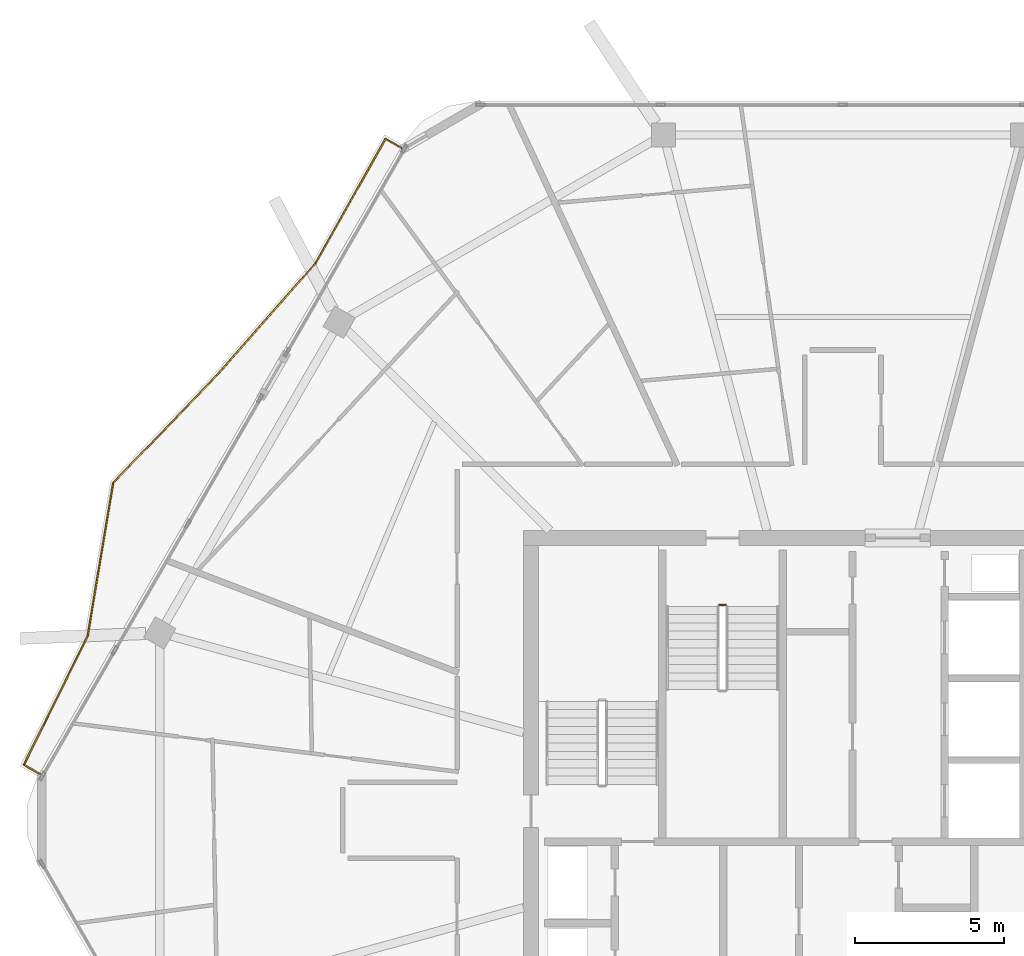
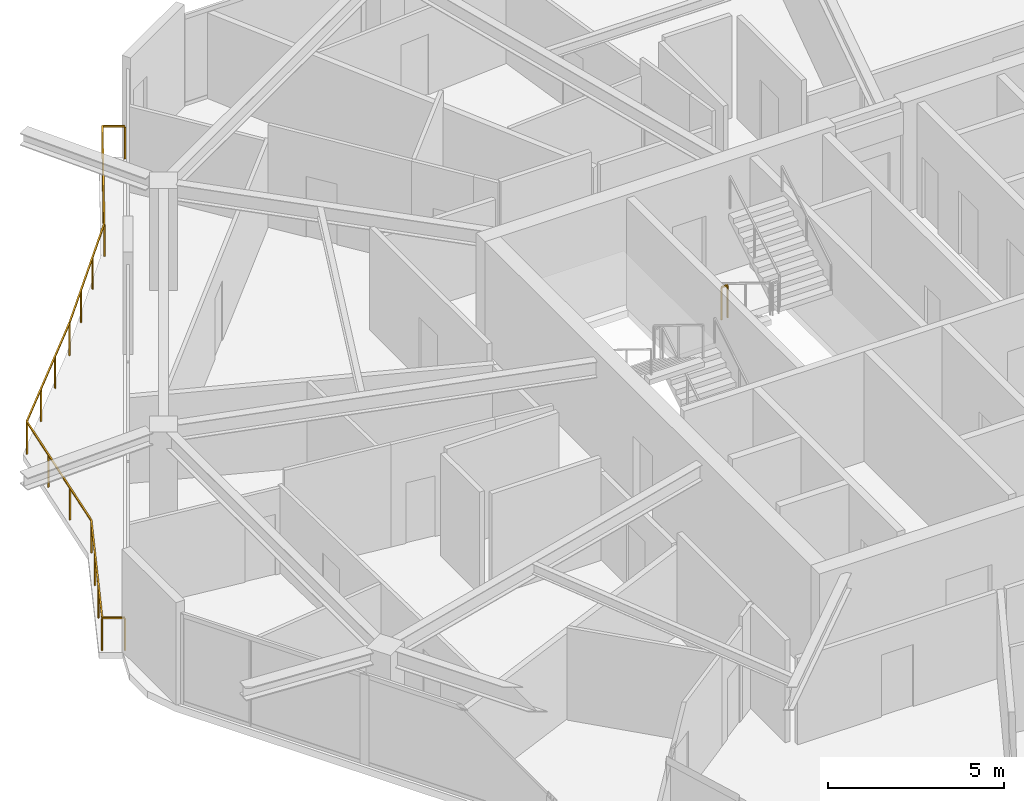
# One storey, part 19 of 19: 2 railings.
"""IFC4 building model written with IfcOpenShell, lengths in metres."""

from ifc_helpers import new_model, si_unit, direction, frame, origin, origin_2d, place, context, subcontext, project, spatial, rectangle, extrude, material, type_object, element, save


model = new_model("IFC4")

# Units and contexts
model_context = context("Model", 3, precision=1e-05, world=origin(), true_north=direction((0.0, 1.0)))
body_context = subcontext(model_context, "Body", "Model", "MODEL_VIEW")
ifc_project = project(units=[si_unit("LENGTHUNIT", "METRE"), si_unit("AREAUNIT", "SQUARE_METRE"), si_unit("VOLUMEUNIT", "CUBIC_METRE"), si_unit("PLANEANGLEUNIT", "RADIAN"), si_unit("MASSUNIT", "GRAM", prefix="KILO")], contexts=[model_context])

# Site, building, storey
site_placement = place(None, origin())
site = spatial("IfcSite", under=ifc_project, at=site_placement, CompositionType="ELEMENT")
building_placement = place(site_placement, origin())
building = spatial("IfcBuilding", under=site, at=building_placement, Name="Zuhravey Tower", CompositionType="ELEMENT")
storey_placement = place(building_placement, frame((0.0, 0.0, 327.199951171875)))
storey = spatial("IfcBuildingStorey", under=building, at=storey_placement, Name="L83", CompositionType="ELEMENT", Elevation=327.199951171875)

# Railings
ifc_material_1 = material(Name="Stainless steel 316 and laminated glass", Category="steel")
railing_type_1 = type_object("IfcRailingType", Name="Balcony & Terrace Guardrail 1150", PredefinedType="BALUSTRADE", material=ifc_material_1)
railing_1_placement = place(storey_placement, frame((8.993408203125, 33.54150390625, 0.0)))
element("IfcRailing", 1, at=railing_1_placement, inside=storey, type_object=railing_type_1, Name="L83 Face 3 Wave Balcony Guardrail GR1", PredefinedType="BALUSTRADE", context=body_context, shape_type="SweptSolid", body=[
    extrude(rectangle(XDim=0.048095703125, YDim=0.048095703125, at=origin_2d()), frame((-0.001708984375, 0.0009765625, 1.1259765625), z_axis=(-0.865908710228, 0.500202064721, 0.0), x_axis=(-0.500202064721, -0.865908710228, 0.0)), (0.0, 0.0, 1.0), 0.642333984375),
    extrude(rectangle(XDim=0.048095703125, YDim=0.048095703125, at=origin_2d()), frame((-0.55859375, 0.324951171875, 1.1259765625), z_axis=(0.443394728576, 0.896326455412, 0.0), x_axis=(-0.896326455412, 0.443394728576, 0.0)), (0.0, 0.0, 1.0), 4.834228515625),
    extrude(rectangle(XDim=0.048095703125, YDim=0.048095703125, at=origin_2d()), frame((1.5859375, 4.661865234375, 1.1259765625), z_axis=(0.164603610937, 0.986359798079, 0.0), x_axis=(-0.986359798079, 0.164603610937, 0.0)), (0.0, 0.0, 1.0), 5.2197265625),
    extrude(rectangle(XDim=0.048095703125, YDim=0.048095703125, at=origin_2d()), frame((2.447021484375, 9.81396484375, 1.1259765625), z_axis=(0.69402232976, 0.719953474743, 0.0), x_axis=(-0.719953474743, 0.69402232976, 0.0)), (0.0, 0.0, 1.0), 5.023681640625),
    extrude(rectangle(XDim=0.048095703125, YDim=0.048095703125, at=origin_2d()), frame((5.93603515625, 13.43359375, 1.1259765625), z_axis=(0.660956843047, 0.750423914618, 0.0), x_axis=(-0.750423914618, 0.660956843047, 0.0)), (0.0, 0.0, 1.0), 5.014404296875),
    extrude(rectangle(XDim=0.048095703125, YDim=0.048095703125, at=origin_2d()), frame((9.252685546875, 17.19970703125, 1.1259765625), z_axis=(0.490605300097, 0.871381913696, 0.0), x_axis=(-0.871381913696, 0.490605300097, 0.0)), (0.0, 0.0, 1.0), 4.81298828125),
    extrude(rectangle(XDim=0.048095703125, YDim=0.048095703125, at=origin_2d()), frame((11.61669921875, 21.39453125, 1.1259765625), z_axis=(0.865905532852, -0.500207565094, 0.0), x_axis=(0.500207565094, 0.865905532852, 0.0)), (0.0, 0.0, 1.0), 0.635009765625),
    extrude(rectangle(XDim=0.0419921875, YDim=0.0419921875, at=origin_2d()), origin(), (0.0, 0.0, 1.0), 1.099853515625),
    extrude(rectangle(XDim=0.0419921875, YDim=0.0419921875, at=origin_2d()), frame((-0.5595703125, 0.3232421875, 0.0)), (0.0, 0.0, 1.0), 1.099853515625),
    extrude(rectangle(XDim=0.0419921875, YDim=0.0419921875, at=origin_2d()), frame((0.155517578125, 1.768798828125, 0.0)), (0.0, 0.0, 1.0), 1.099853515625),
    extrude(rectangle(XDim=0.0419921875, YDim=0.0419921875, at=origin_2d()), frame((0.87060546875, 3.21435546875, 0.0)), (0.0, 0.0, 1.0), 1.099853515625),
    extrude(rectangle(XDim=0.0419921875, YDim=0.0419921875, at=origin_2d()), frame((1.585693359375, 4.659912109375, 0.0)), (0.0, 0.0, 1.0), 1.099853515625),
    extrude(rectangle(XDim=0.0419921875, YDim=0.0419921875, at=origin_2d()), frame((1.872314453125, 6.37744140625, 0.0)), (0.0, 0.0, 1.0), 1.099853515625),
    extrude(rectangle(XDim=0.0419921875, YDim=0.0419921875, at=origin_2d()), frame((2.158935546875, 8.094970703125, 0.0)), (0.0, 0.0, 1.0), 1.099853515625),
    extrude(rectangle(XDim=0.0419921875, YDim=0.0419921875, at=origin_2d()), frame((2.445556640625, 9.8125, 0.0)), (0.0, 0.0, 1.0), 1.099853515625),
    extrude(rectangle(XDim=0.0419921875, YDim=0.0419921875, at=origin_2d()), frame((3.608642578125, 11.01904296875, 0.0)), (0.0, 0.0, 1.0), 1.099853515625),
    extrude(rectangle(XDim=0.0419921875, YDim=0.0419921875, at=origin_2d()), frame((4.771728515625, 12.2255859375, 0.0)), (0.0, 0.0, 1.0), 1.099853515625),
    extrude(rectangle(XDim=0.0419921875, YDim=0.0419921875, at=origin_2d()), frame((5.934814453125, 13.43212890625, 0.0)), (0.0, 0.0, 1.0), 1.099853515625),
    extrude(rectangle(XDim=0.0419921875, YDim=0.0419921875, at=origin_2d()), frame((7.04052734375, 14.6875, 0.0)), (0.0, 0.0, 1.0), 1.099853515625),
    extrude(rectangle(XDim=0.0419921875, YDim=0.0419921875, at=origin_2d()), frame((8.14599609375, 15.942626953125, 0.0)), (0.0, 0.0, 1.0), 1.099853515625),
    extrude(rectangle(XDim=0.0419921875, YDim=0.0419921875, at=origin_2d()), frame((9.251708984375, 17.197998046875, 0.0)), (0.0, 0.0, 1.0), 1.099853515625),
    extrude(rectangle(XDim=0.0419921875, YDim=0.0419921875, at=origin_2d()), frame((10.03955078125, 18.59716796875, 0.0)), (0.0, 0.0, 1.0), 1.099853515625),
    extrude(rectangle(XDim=0.0419921875, YDim=0.0419921875, at=origin_2d()), frame((10.8271484375, 19.996337890625, 0.0)), (0.0, 0.0, 1.0), 1.099853515625),
    extrude(rectangle(XDim=0.0419921875, YDim=0.0419921875, at=origin_2d()), frame((11.614990234375, 21.3955078125, 0.0)), (0.0, 0.0, 1.0), 1.099853515625),
    extrude(rectangle(XDim=0.0419921875, YDim=0.0419921875, at=origin_2d()), frame((12.168212890625, 21.075927734375, 0.0)), (0.0, 0.0, 1.0), 1.099853515625),
])
ifc_material_2 = material(Name="Painted tubular steel", Category="steel")
railing_type_2 = type_object("IfcRailingType", Name="Stair Well Guardrail 1150", PredefinedType="GUARDRAIL", material=ifc_material_2)
railing_2_placement = place(storey_placement, frame((31.85009765625, 39.25, 0.0)))
element("IfcRailing", 2, at=railing_2_placement, inside=storey, type_object=railing_type_2, Name="L83 ST3 stair guard 4", PredefinedType="GUARDRAIL", context=body_context, shape_type="SweptSolid", body=[
    extrude(rectangle(XDim=0.048095703125, YDim=0.048095703125, at=origin_2d()), frame((0.001953125, 0.0, 1.1259765625), z_axis=(1.0, 0.0, 0.0), x_axis=(0.0, 1.0, 0.0)), (0.0, 0.0, 1.0), 0.196044921875),
    extrude(rectangle(XDim=0.0419921875, YDim=0.0419921875, at=origin_2d()), origin(), (0.0, 0.0, 1.0), 1.099853515625),
    extrude(rectangle(XDim=0.0419921875, YDim=0.0419921875, at=origin_2d()), frame((0.199951171875, 0.0, 0.0)), (0.0, 0.0, 1.0), 1.099853515625),
])

save(model, "model.ifc")
